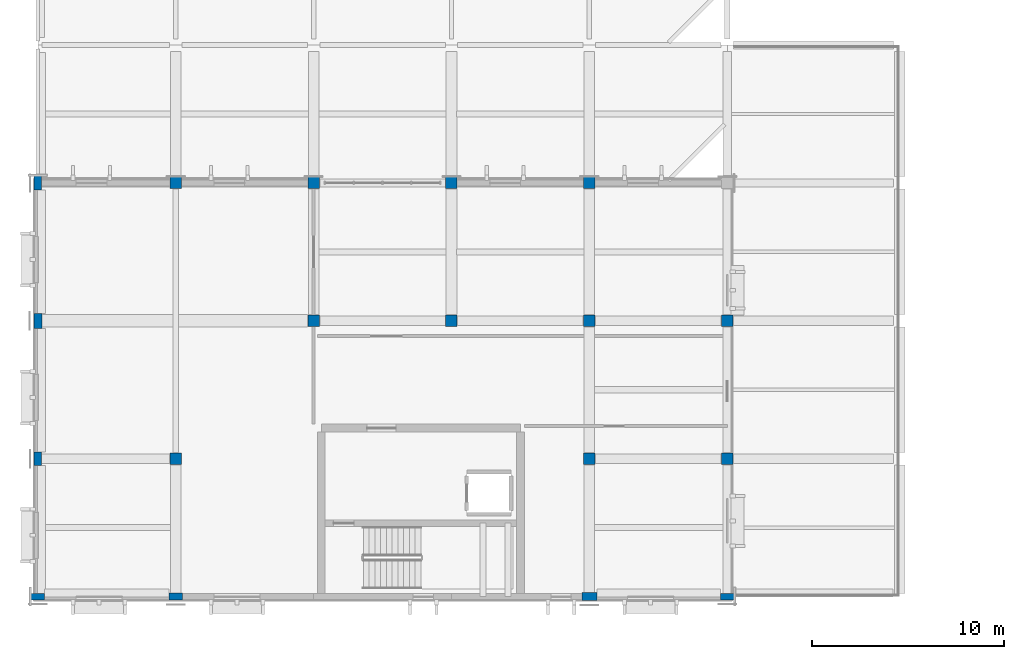
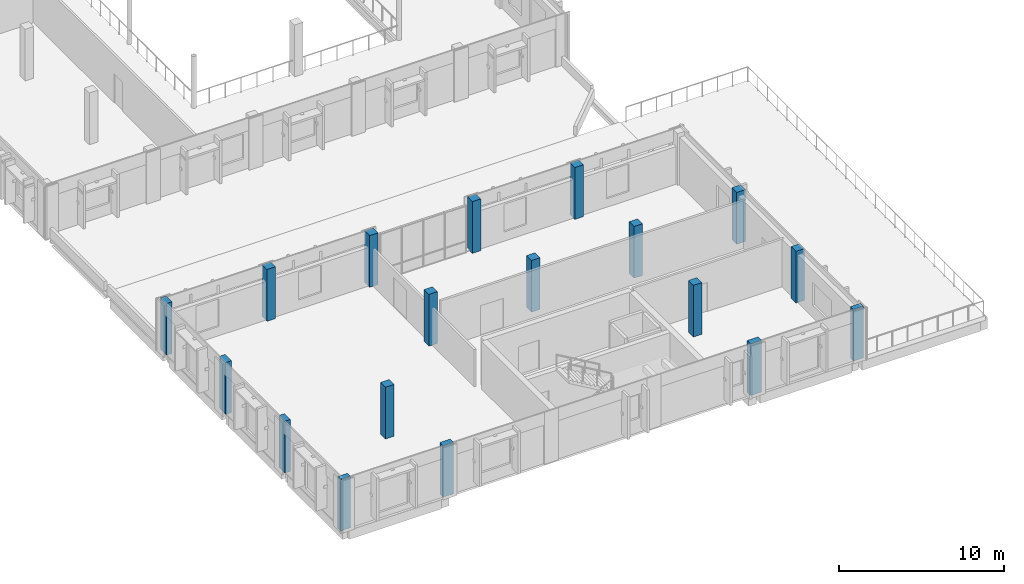
# One storey, part 1 of 64: 18 columns.
"""IFC4 building model written with IfcOpenShell, lengths in metres."""

import ifcopenshell
import ifcopenshell.guid

model = None  # the IFC model being written
_history = None  # IfcOwnerHistory: only IFC2X3 demands one
_inside = {}  # id of a spatial element -> (the spatial element, [elements in it])
_under = {}  # id of a project, library or spatial element -> (it, [spatial elements below it])
_declared = {}  # id of a project -> (the project, [libraries it declares])
_typed = {}  # id of a type object -> (the type object, [elements of that type])
_made_of = {}  # id of a material, layer set ... -> (it, [elements and type objects made of it])


def new_model(schema):
    """Start an empty IFC model of exactly this schema.

    Asked for "IFC4X3", IfcOpenShell would pick the latest addendum, in which some entities
    have other attributes; the version numbers below select the first issue.
    IFC2X3 requires an IfcOwnerHistory on every rooted entity: one is made here for all.
    """
    global model, _history
    if schema == "IFC4X3":
        model = ifcopenshell.file(schema_version=(4, 3, 0, 0))
    else:
        model = ifcopenshell.file(schema=schema)
    _inside.clear()
    _under.clear()
    _declared.clear()
    _typed.clear()
    _made_of.clear()
    _history = None
    if model.schema == "IFC2X3":
        org = make("IfcOrganization", Name="unknown")
        user = make(
            "IfcPersonAndOrganization",
            ThePerson=make("IfcPerson", FamilyName="unknown"),
            TheOrganization=org,
        )
        app = make(
            "IfcApplication",
            ApplicationDeveloper=org,
            Version="unknown",
            ApplicationFullName="unknown",
            ApplicationIdentifier="unknown",
        )
        _history = make(
            "IfcOwnerHistory",
            OwningUser=user,
            OwningApplication=app,
            ChangeAction="ADDED",
            CreationDate=0,
        )
    return model


def make(cls, **values):
    """One entity of the class cls with the attributes given. An attribute that is None is left unset."""
    return model.create_entity(
        cls, **{name: value for name, value in values.items() if value is not None}
    )


def rooted(cls, **values):
    """An entity with a GlobalId (a new one), such as an element, a storey or a relation."""
    return make(cls, GlobalId=ifcopenshell.guid.new(), OwnerHistory=_history, **values)


def si_unit(unit_type, name, prefix=None):
    """IfcSIUnit, for example si_unit("LENGTHUNIT", "METRE", prefix="MILLI")."""
    return make("IfcSIUnit", UnitType=unit_type, Prefix=prefix, Name=name)


def assignment(units):
    """IfcUnitAssignment: the units of a project."""
    return None if units is None else make("IfcUnitAssignment", Units=units)


def point(xyz):
    """IfcCartesianPoint."""
    return None if xyz is None else make("IfcCartesianPoint", Coordinates=xyz)


def direction(xyz):
    """IfcDirection."""
    return None if xyz is None else make("IfcDirection", DirectionRatios=xyz)


def frame(location, z_axis=None, x_axis=None):
    """IfcAxis2Placement3D, a coordinate frame: its origin and axes. An axis left out is left unset."""
    return make(
        "IfcAxis2Placement3D",
        Location=point(location),
        Axis=direction(z_axis),
        RefDirection=direction(x_axis),
    )


def frame_2d(location, x_axis=None):
    """IfcAxis2Placement2D, a coordinate frame in the plane: its origin and x axis."""
    return make(
        "IfcAxis2Placement2D", Location=point(location), RefDirection=direction(x_axis)
    )


def origin():
    """The frame at (0, 0, 0) with its axes left unset."""
    return frame((0.0, 0.0, 0.0))


def origin_2d():
    """The frame at (0, 0) in the plane with its x axis left unset."""
    return frame_2d((0.0, 0.0))


def place(relative_to, where):
    """IfcLocalPlacement: puts the frame where relative to a parent placement (None: the world)."""
    return make(
        "IfcLocalPlacement", PlacementRelTo=relative_to, RelativePlacement=where
    )


def context(
    kind, dimensions, precision=None, world=None, true_north=None, identifier=None
):
    """IfcGeometricRepresentationContext, for example the 3D "Model" context."""
    return make(
        "IfcGeometricRepresentationContext",
        ContextIdentifier=identifier,
        ContextType=kind,
        CoordinateSpaceDimension=dimensions,
        Precision=precision,
        WorldCoordinateSystem=world,
        TrueNorth=true_north,
    )


def subcontext(parent, identifier, kind, view, scale=None):
    """IfcGeometricRepresentationSubContext, for example "Body" below "Model"."""
    return make(
        "IfcGeometricRepresentationSubContext",
        ContextIdentifier=identifier,
        ContextType=kind,
        ParentContext=parent,
        TargetScale=scale,
        TargetView=view,
    )


def project(units=None, contexts=None):
    """IfcProject with its units and contexts."""
    return rooted(
        "IfcProject",
        Name="project",
        RepresentationContexts=contexts,
        UnitsInContext=assignment(units),
    )


def spatial(cls, under=None, at=None, **own):
    """A site, building, storey or space (cls), placed at a placement, below another one or the project."""
    s = rooted(cls, ObjectPlacement=at, **own)
    if under is not None:
        _under.setdefault(under.id(), (under, []))[1].append(s)
    return s


def profile(cls, at=None, kind="AREA", **sizes):
    """A parametric profile (cls). Its sizes go by their IFC names, for example OverallWidth=200.0."""
    return make(cls, ProfileType=kind, Position=at, **sizes)


def rectangle(**sizes):
    """IfcRectangleProfileDef."""
    return profile("IfcRectangleProfileDef", **sizes)


def extrude(swept, where, along, depth):
    """IfcExtrudedAreaSolid: the profile swept, set in the frame where, extruded along a direction by depth."""
    return make(
        "IfcExtrudedAreaSolid",
        SweptArea=swept,
        Position=where,
        ExtrudedDirection=direction(along),
        Depth=depth,
    )


def shape(context_of_items, identifier, shape_type, items):
    """IfcShapeRepresentation: the items that make up one representation, for example the "Body"."""
    return make(
        "IfcShapeRepresentation",
        ContextOfItems=context_of_items,
        RepresentationIdentifier=identifier,
        RepresentationType=shape_type,
        Items=items,
    )


def material(Name=None, Category=None):
    """IfcMaterial."""
    return make("IfcMaterial", Name=Name, Category=Category)


def material_profile(
    of_material, cross_section, Name=None, Category=None, Priority=None
):
    """IfcMaterialProfile: a cross section and its material."""
    return make(
        "IfcMaterialProfile",
        Name=Name,
        Material=of_material,
        Profile=cross_section,
        Priority=Priority,
        Category=Category,
    )


def profile_set(profiles, Name=None, composite=None):
    """IfcMaterialProfileSet."""
    return make(
        "IfcMaterialProfileSet",
        Name=Name,
        MaterialProfiles=profiles,
        CompositeProfile=composite,
    )


def made_of(thing, what):
    """Note that an element or type object is made of a material, layer set ...; save() writes the relation."""
    if what is not None:
        _made_of.setdefault(what.id(), (what, []))[1].append(thing)
    return thing


def type_object(cls, material=None, **own):
    """A type object (cls), such as IfcWallType, which elements share."""
    return made_of(rooted(cls, **own), material)


def element(
    cls,
    number,
    at=None,
    inside=None,
    cuts=None,
    type_object=None,
    material=None,
    context=None,
    identifier="Body",
    shape_type=None,
    held_by="IfcProductDefinitionShape",
    body=None,
    shapes=None,
    **own,
):
    """One element of the class cls, such as IfcWall. Its Tag is "e" and its number.

    at: its placement. inside: the storey or other place that contains it. cuts: it is an
    opening in that element (IfcRelVoidsElement). A single representation is given by context,
    identifier, shape_type and body (its items); several are given by shapes. held_by: the class
    of the entity that holds the representations. save() writes the other relations.
    """
    e = rooted(cls, Tag="e%d" % number, ObjectPlacement=at, **own)
    if body is not None:
        shapes = [shape(context, identifier, shape_type, body)]
    if shapes is not None:
        e.Representation = make(held_by, Representations=shapes)
    if inside is not None:
        _inside.setdefault(inside.id(), (inside, []))[1].append(e)
    if cuts is not None:
        rooted(
            "IfcRelVoidsElement", RelatingBuildingElement=cuts, RelatedOpeningElement=e
        )
    if type_object is not None:
        _typed.setdefault(type_object.id(), (type_object, []))[1].append(e)
    return made_of(e, material)


def aggregate(whole, parts):
    """IfcRelAggregates: a whole, such as a stair, and the parts it consists of."""
    return rooted("IfcRelAggregates", RelatingObject=whole, RelatedObjects=parts)


def save(model, path):
    """Write the relations noted so far, then the file.

    IfcRelAggregates (storeys below a building ...), IfcRelContainedInSpatialStructure (elements
    in a storey), IfcRelDefinesByType, IfcRelAssociatesMaterial and IfcRelDeclares: one each for
    every whole, place, type object, material and project.
    """
    for whole, parts in _under.values():
        aggregate(whole, parts)
    for where, things in _inside.values():
        rooted(
            "IfcRelContainedInSpatialStructure",
            RelatedElements=things,
            RelatingStructure=where,
        )
    for kind, things in _typed.values():
        rooted("IfcRelDefinesByType", RelatedObjects=things, RelatingType=kind)
    for what, things in _made_of.values():
        rooted("IfcRelAssociatesMaterial", RelatedObjects=things, RelatingMaterial=what)
    for by, libraries in _declared.values():
        rooted("IfcRelDeclares", RelatingContext=by, RelatedDefinitions=libraries)
    model.write(path)


model = new_model("IFC4")

# Units and contexts
model_context = context("Model", 3, precision=1e-05, world=origin(), true_north=direction((0.0, 1.0)))
body_context = subcontext(model_context, "Body", "Model", "MODEL_VIEW")
ifc_project = project(units=[si_unit("LENGTHUNIT", "METRE"), si_unit("AREAUNIT", "SQUARE_METRE"), si_unit("VOLUMEUNIT", "CUBIC_METRE"), si_unit("PLANEANGLEUNIT", "RADIAN"), si_unit("MASSUNIT", "GRAM", prefix="KILO")], contexts=[model_context])

# Site, building, storey
site_placement = place(None, origin())
site = spatial("IfcSite", under=ifc_project, at=site_placement, CompositionType="ELEMENT")
building_placement = place(site_placement, origin())
building = spatial("IfcBuilding", under=site, at=building_placement, Name="Vervanel Yard Central Library", CompositionType="ELEMENT")
storey_placement = place(building_placement, frame((0.0, 0.0, 8.93994140625)))
storey = spatial("IfcBuildingStorey", under=building, at=storey_placement, Name="L02", CompositionType="ELEMENT", Elevation=8.93994140625)

# Columns
ifc_material = material(Name="Concrete C40/50", Category="concrete")
ifc_material_profile_1 = material_profile(ifc_material, rectangle(XDim=0.60009765625, YDim=0.60009765625, at=origin_2d()), Name="RC 600x600", Category="concrete")
ifc_profile_set_1 = profile_set([ifc_material_profile_1], Name="Concrete C40/50")
column_type_1 = type_object("IfcColumnType", Name="Concrete Column 600x600", PredefinedType="COLUMN", material=ifc_profile_set_1)
for number, where, z_axis, x_axis, name in (
    (1, (7.199951171875, 7.199951171875, 0.0), (0.0, 0.0, 1.0), (1.0, 0.0, 0.0), "L02 Concrete Column 600x600 (7.2, 7.2)"),
    (2, (7.199951171875, 21.60009765625, 0.0), (0.0, 0.0, 1.0), (1.0, 0.0, 0.0), "L02 Concrete Column 600x600 (7.2, 21.6)"),
    (3, (14.39990234375, 14.39990234375, 0.0), (0.0, 0.0, 1.0), (1.0, 0.0, 0.0), "L02 Concrete Column 600x600 (14.4, 14.4)"),
    (4, (14.39990234375, 21.60009765625, 0.0), (0.0, 0.0, 1.0), (1.0, 0.0, 0.0), "L02 Concrete Column 600x600 (14.4, 21.6)"),
    (5, (21.60009765625, 14.39990234375, 0.0), (0.0, 0.0, 1.0), (1.0, 0.0, 0.0), "L02 Concrete Column 600x600 (21.6, 14.4)"),
    (6, (21.60009765625, 21.60009765625, 0.0), (0.0, 0.0, 1.0), (1.0, 0.0, 0.0), "L02 Concrete Column 600x600 (21.6, 21.6)"),
    (7, (28.800048828125, 7.199951171875, 0.0), (0.0, 0.0, 1.0), (1.0, 0.0, 0.0), "L02 Concrete Column 600x600 (28.8, 7.2)"),
    (8, (28.800048828125, 14.39990234375, 0.0), (0.0, 0.0, 1.0), (1.0, 0.0, 0.0), "L02 Concrete Column 600x600 (28.8, 14.4)"),
    (9, (28.800048828125, 21.60009765625, 0.0), (0.0, 0.0, 1.0), (1.0, 0.0, 0.0), "L02 Concrete Column 600x600 (28.8, 21.6)"),
    (10, (36.0, 7.199951171875, 0.0), (0.0, 0.0, 1.0), (1.0, 0.0, 0.0), "L02 Concrete Column 600x600 (36.0, 7.2)"),
    (11, (36.0, 14.39990234375, 0.0), (0.0, 0.0, 1.0), (1.0, 0.0, 0.0), "L02 Concrete Column 600x600 (36.0, 14.4)"),
):
    element("IfcColumn", number, at=place(storey_placement, frame(where, z_axis=z_axis, x_axis=x_axis)), inside=storey, type_object=column_type_1, Name=name, PredefinedType="COLUMN", context=body_context, shape_type="SweptSolid", body=[
        extrude(rectangle(XDim=0.60009765625, YDim=0.60009765625, at=origin_2d()), origin(), (0.0, 0.0, 1.0), 3.840087890625),
    ])
ifc_material_profile_2 = material_profile(ifc_material, rectangle(XDim=0.35009765625, YDim=0.699951171875, at=origin_2d()), Name="RC 350x700", Category="concrete")
ifc_profile_set_2 = profile_set([ifc_material_profile_2], Name="Concrete C40/50")
column_type_2 = type_object("IfcColumnType", Name="Perimeter Pilaster 350x700", PredefinedType="PILASTER", material=ifc_profile_set_2)
for number, where, z_axis, x_axis, name in (
    (12, (0.0, 0.0, 0.0), (0.0, 0.0, 1.0), (0.0, 1.0, 0.0), "L02 Perimeter Pilaster 350x700 (0.0, 0.0)"),
    (13, (36.0, 0.0, 0.0), (0.0, 0.0, 1.0), (0.0, 1.0, 0.0), "L02 Perimeter Pilaster 350x700 (36.0, 0.0)"),
):
    element("IfcColumn", number, at=place(storey_placement, frame(where, z_axis=z_axis, x_axis=x_axis)), inside=storey, type_object=column_type_2, Name=name, PredefinedType="PILASTER", context=body_context, shape_type="SweptSolid", body=[
        extrude(rectangle(XDim=0.35009765625, YDim=0.699951171875, at=origin_2d()), origin(), (0.0, 0.0, 1.0), 3.840087890625),
    ])
ifc_material_profile_3 = material_profile(ifc_material, rectangle(XDim=0.3798828125, YDim=0.719970703125, at=origin_2d()), Name="RC 380x720", Category="concrete")
ifc_profile_set_3 = profile_set([ifc_material_profile_3], Name="Concrete C40/50")
column_type_3 = type_object("IfcColumnType", Name="Perimeter Pilaster 380x720", PredefinedType="PILASTER", material=ifc_profile_set_3)
for number, where, z_axis, x_axis, name in (
    (14, (0.0, 7.199951171875, 0.0), (0.0, 0.0, 1.0), (1.0, 0.0, 0.0), "L02 Perimeter Pilaster 380x720 (0.0, 7.2)"),
    (15, (0.0, 21.60009765625, 0.0), (0.0, 0.0, 1.0), (1.0, 0.0, 0.0), "L02 Perimeter Pilaster 380x720 (0.0, 21.6)"),
    (16, (7.199951171875, 0.0, 0.0), (0.0, 0.0, 1.0), (0.0, 1.0, 0.0), "L02 Perimeter Pilaster 380x720 (7.2, 0.0)"),
):
    element("IfcColumn", number, at=place(storey_placement, frame(where, z_axis=z_axis, x_axis=x_axis)), inside=storey, type_object=column_type_3, Name=name, PredefinedType="PILASTER", context=body_context, shape_type="SweptSolid", body=[
        extrude(rectangle(XDim=0.3798828125, YDim=0.719970703125, at=origin_2d()), origin(), (0.0, 0.0, 1.0), 3.840087890625),
    ])
ifc_material_profile_4 = material_profile(ifc_material, rectangle(XDim=0.419921875, YDim=0.780029296875, at=origin_2d()), Name="RC 420x780", Category="concrete")
ifc_profile_set_4 = profile_set([ifc_material_profile_4], Name="Concrete C40/50")
column_type_4 = type_object("IfcColumnType", Name="Perimeter Pilaster 420x780", PredefinedType="PILASTER", material=ifc_profile_set_4)
for number, where, z_axis, x_axis, name in (
    (17, (0.0, 14.39990234375, 0.0), (0.0, 0.0, 1.0), (1.0, 0.0, 0.0), "L02 Perimeter Pilaster 420x780 (0.0, 14.4)"),
    (18, (28.800048828125, 0.0, 0.0), (0.0, 0.0, 1.0), (0.0, 1.0, 0.0), "L02 Perimeter Pilaster 420x780 (28.8, 0.0)"),
):
    element("IfcColumn", number, at=place(storey_placement, frame(where, z_axis=z_axis, x_axis=x_axis)), inside=storey, type_object=column_type_4, Name=name, PredefinedType="PILASTER", context=body_context, shape_type="SweptSolid", body=[
        extrude(rectangle(XDim=0.419921875, YDim=0.780029296875, at=origin_2d()), origin(), (0.0, 0.0, 1.0), 3.840087890625),
    ])

save(model, "model.ifc")
